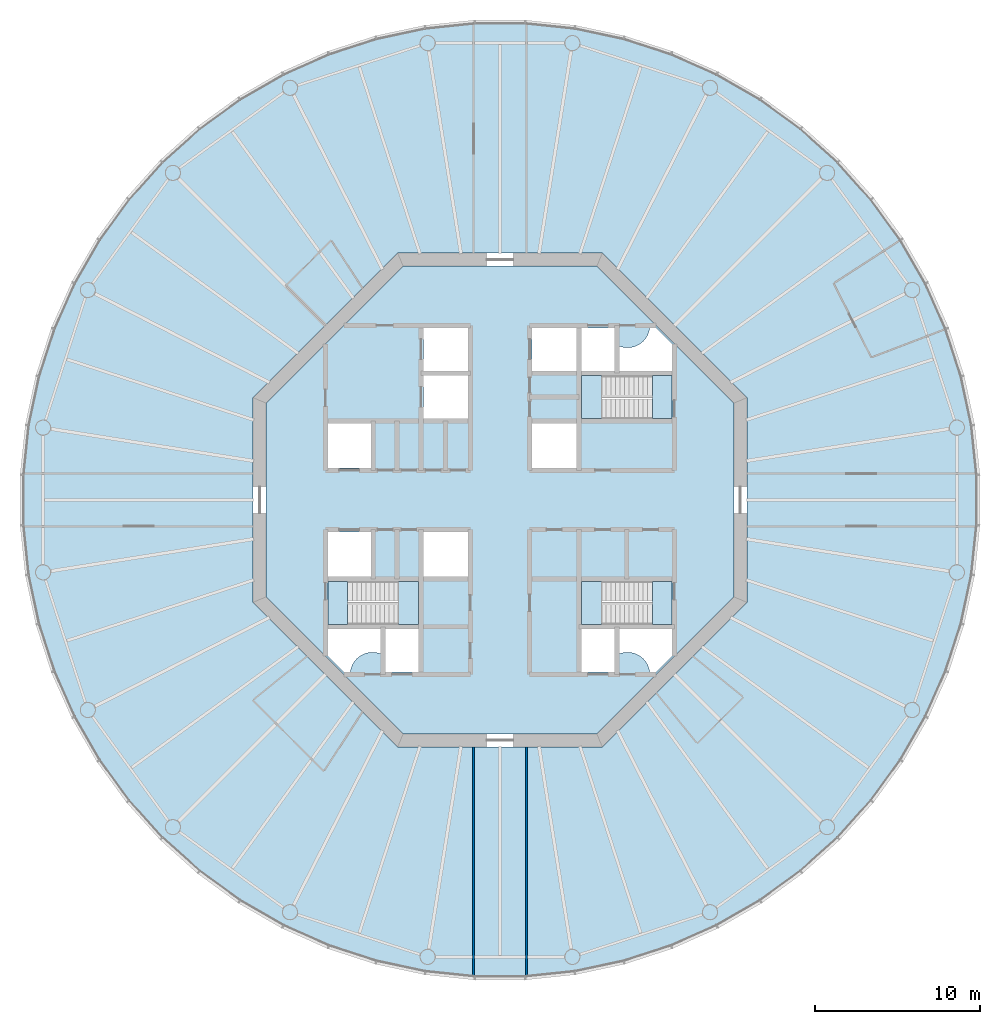
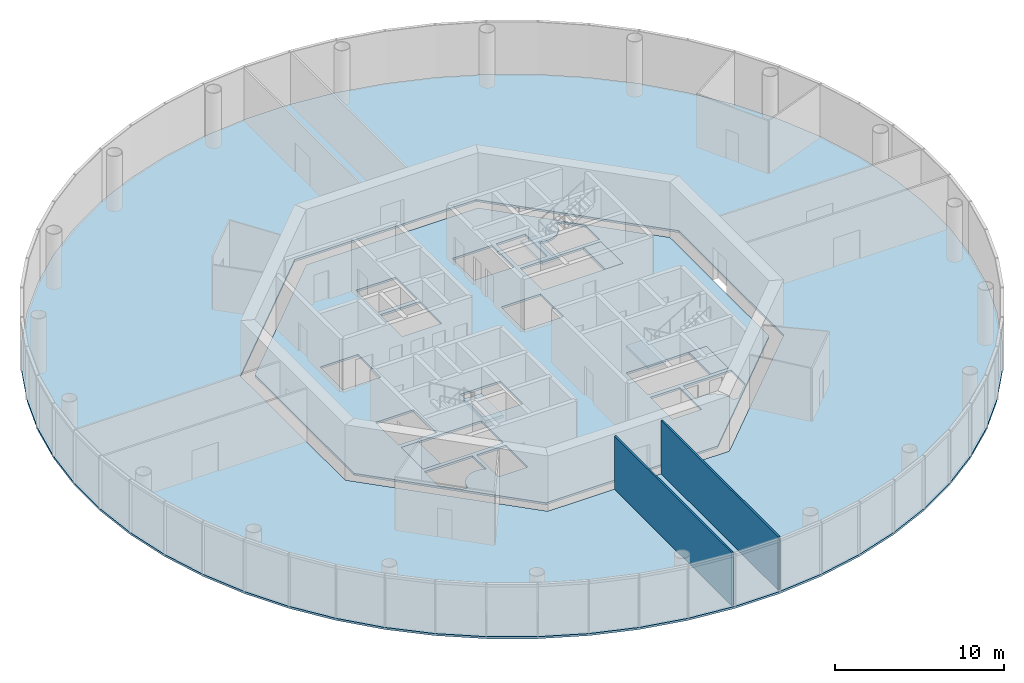
# One storey, part 2 of 12: 8 slabs, 2 walls, 3 elements without a shape of their own.
"""IFC4 building model written with IfcOpenShell, lengths in metres."""

from ifc_helpers import new_model, si_unit, direction, frame, frame_2d, origin, place, context, subcontext, project, spatial, polyline, rectangle, outline, extrude, material, layer, layer_set, type_object, element, aggregate, save


model = new_model("IFC4")

# Units and contexts
model_context = context("Model", 3, precision=1e-05, world=origin(), true_north=direction((0.0, 1.0)))
body_context = subcontext(model_context, "Body", "Model", "MODEL_VIEW")
ifc_project = project(units=[si_unit("LENGTHUNIT", "METRE"), si_unit("AREAUNIT", "SQUARE_METRE"), si_unit("VOLUMEUNIT", "CUBIC_METRE"), si_unit("PLANEANGLEUNIT", "RADIAN"), si_unit("MASSUNIT", "GRAM", prefix="KILO")], contexts=[model_context])

# Site, building, storey
site_placement = place(None, origin())
site = spatial("IfcSite", under=ifc_project, at=site_placement, CompositionType="ELEMENT")
building_placement = place(site_placement, origin())
building = spatial("IfcBuilding", under=site, at=building_placement, Name="Entoto Ring Tower", CompositionType="ELEMENT")
storey_placement = place(building_placement, frame((0.0, 0.0, 322.0)))
storey = spatial("IfcBuildingStorey", under=building, at=storey_placement, Name="L74", CompositionType="ELEMENT", Elevation=322.0)

# Slabs
ifc_material_1 = material(Name="Concrete C30/37", Category="concrete")
ifc_layer_1 = layer(ifc_material_1, 0.14990234375)
ifc_layer_set_1 = layer_set([ifc_layer_1], Name="Concrete C30/37")
slab_type_1 = type_object("IfcSlabType", Name="Composite floor slab 150 mm", PredefinedType="FLOOR", material=ifc_layer_set_1)
slab_1_placement = place(storey_placement, frame((0.0, 0.0, -0.14990234375)))
element("IfcSlab", 1, at=slab_1_placement, inside=storey, type_object=slab_type_1, Name="Floor slab L74", PredefinedType="FLOOR", context=body_context, shape_type="SweptSolid", body=[
    extrude(outline(polyline([(118.74169921875, 84.55224609375), (118.1083984375, 87.53173828125), (117.167236328125, 90.428466796875), (115.92822265625, 93.211181640625), (114.4052734375, 95.848876953125), (112.614990234375, 98.313232421875), (110.576904296875, 100.576904296875), (108.313232421875, 102.614990234375), (105.848876953125, 104.4052734375), (103.211181640625, 105.92822265625), (100.428466796875, 107.167236328125), (97.53173828125, 108.1083984375), (94.55224609375, 108.74169921875), (91.52294921875, 109.06005859375), (88.47705078125, 109.06005859375), (85.44775390625, 108.74169921875), (82.46826171875, 108.1083984375), (79.571533203125, 107.167236328125), (76.788818359375, 105.92822265625), (74.151123046875, 104.4052734375), (71.686767578125, 102.614990234375), (69.423095703125, 100.576904296875), (67.385009765625, 98.313232421875), (65.5947265625, 95.848876953125), (64.07177734375, 93.211181640625), (62.832763671875, 90.428466796875), (61.8916015625, 87.53173828125), (61.25830078125, 84.55224609375), (60.93994140625, 81.52294921875), (60.93994140625, 78.47705078125), (61.25830078125, 75.44775390625), (61.8916015625, 72.46826171875), (62.832763671875, 69.571533203125), (64.07177734375, 66.788818359375), (65.5947265625, 64.151123046875), (67.385009765625, 61.686767578125), (69.423095703125, 59.423095703125), (71.686767578125, 57.385009765625), (74.151123046875, 55.5947265625), (76.788818359375, 54.07177734375), (79.571533203125, 52.832763671875), (82.46826171875, 51.8916015625), (85.44775390625, 51.25830078125), (88.47705078125, 50.93994140625), (91.52294921875, 50.93994140625), (94.55224609375, 51.25830078125), (97.53173828125, 51.8916015625), (100.428466796875, 52.832763671875), (103.211181640625, 54.07177734375), (105.848876953125, 55.5947265625), (108.313232421875, 57.385009765625), (110.576904296875, 59.423095703125), (112.614990234375, 61.686767578125), (114.4052734375, 64.151123046875), (115.92822265625, 66.788818359375), (117.167236328125, 69.571533203125), (118.1083984375, 72.46826171875), (118.74169921875, 75.44775390625), (119.06005859375, 78.47705078125), (119.06005859375, 81.52294921875), (118.74169921875, 84.55224609375)]), holes=[polyline([(105.0, 73.786865234375), (105.0, 86.213134765625), (96.213134765625, 95.0), (83.786865234375, 95.0), (75.0, 86.213134765625), (75.0, 73.786865234375), (83.786865234375, 65.0), (96.213134765625, 65.0), (105.0, 73.786865234375)])]), origin(), (0.0, 0.0, 1.0), 0.14990234375),
])
ifc_material_2 = material(Name="Concrete C40/50", Category="concrete")
ifc_layer_2 = layer(ifc_material_2, 0.14990234375)
ifc_layer_set_2 = layer_set([ifc_layer_2], Name="Concrete C40/50")
slab_type_2 = type_object("IfcSlabType", Name="Core floor slab 150 mm reinforced concrete C40/50", PredefinedType="FLOOR", material=ifc_layer_set_2)
slab_2_placement = place(storey_placement, frame((0.0, 0.0, -0.14990234375)))
element("IfcSlab", 2, at=slab_2_placement, inside=storey, type_object=slab_type_2, Name="Core floor L74", PredefinedType="FLOOR", context=body_context, shape_type="SweptSolid", body=[
    extrude(outline(polyline([(104.199951171875, 74.1181640625), (104.199951171875, 85.8818359375), (95.8818359375, 94.199951171875), (84.1181640625, 94.199951171875), (75.800048828125, 85.8818359375), (75.800048828125, 74.1181640625), (84.1181640625, 65.800048828125), (95.8818359375, 65.800048828125), (104.199951171875, 74.1181640625)]), holes=[polyline([(100.449951171875, 84.949951171875), (100.449951171875, 87.550048828125), (94.949951171875, 87.550048828125), (94.949951171875, 84.949951171875), (100.449951171875, 84.949951171875)]), polyline([(85.050048828125, 72.449951171875), (85.050048828125, 75.050048828125), (79.550048828125, 75.050048828125), (79.550048828125, 72.449951171875), (85.050048828125, 72.449951171875)]), polyline([(100.449951171875, 72.449951171875), (100.449951171875, 75.050048828125), (94.949951171875, 75.050048828125), (94.949951171875, 72.449951171875), (100.449951171875, 72.449951171875)]), polyline([(94.949951171875, 90.449951171875), (94.949951171875, 87.85009765625), (96.949951171875, 87.85009765625), (96.949951171875, 90.449951171875), (94.949951171875, 90.449951171875)]), polyline([(94.949951171875, 72.14990234375), (94.949951171875, 69.550048828125), (96.949951171875, 69.550048828125), (96.949951171875, 72.14990234375), (94.949951171875, 72.14990234375)]), polyline([(83.050048828125, 72.14990234375), (83.050048828125, 69.550048828125), (85.050048828125, 69.550048828125), (85.050048828125, 72.14990234375), (83.050048828125, 72.14990234375)]), polyline([(79.550048828125, 81.949951171875), (82.14990234375, 81.949951171875), (82.14990234375, 84.64990234375), (79.550048828125, 84.64990234375), (79.550048828125, 81.949951171875)]), polyline([(79.550048828125, 75.35009765625), (82.14990234375, 75.35009765625), (82.14990234375, 78.050048828125), (79.550048828125, 78.050048828125), (79.550048828125, 75.35009765625)]), polyline([(91.949951171875, 87.85009765625), (94.64990234375, 87.85009765625), (94.64990234375, 90.449951171875), (91.949951171875, 90.449951171875), (91.949951171875, 87.85009765625)]), polyline([(91.949951171875, 81.949951171875), (94.64990234375, 81.949951171875), (94.64990234375, 84.64990234375), (91.949951171875, 84.64990234375), (91.949951171875, 81.949951171875)]), polyline([(85.35009765625, 75.35009765625), (88.050048828125, 75.35009765625), (88.050048828125, 78.050048828125), (85.35009765625, 78.050048828125), (85.35009765625, 75.35009765625)]), polyline([(85.35009765625, 84.949951171875), (88.050048828125, 84.949951171875), (88.050048828125, 87.550048828125), (85.35009765625, 87.550048828125), (85.35009765625, 84.949951171875)]), polyline([(85.35009765625, 87.85009765625), (88.050048828125, 87.85009765625), (88.050048828125, 90.449951171875), (85.35009765625, 90.449951171875), (85.35009765625, 87.85009765625)]), polyline([(97.199951171875, 89.368408203125), (97.199951171875, 87.800048828125), (100.5, 87.800048828125), (100.5, 89.4404296875), (99.4404296875, 90.5), (99.09521484375, 90.5), (99.093505859375, 90.4677734375), (99.07421875, 90.336669921875), (99.0419921875, 90.2080078125), (98.997314453125, 90.08349609375), (98.940673828125, 89.963623046875), (98.87255859375, 89.85009765625), (98.793701171875, 89.74365234375), (98.70458984375, 89.6455078125), (98.6064453125, 89.556396484375), (98.5, 89.4775390625), (98.386474609375, 89.409423828125), (98.2666015625, 89.352783203125), (98.141845703125, 89.30810546875), (98.013427734375, 89.27587890625), (97.88232421875, 89.256591796875), (97.75, 89.25), (97.61767578125, 89.256591796875), (97.486572265625, 89.27587890625), (97.358154296875, 89.30810546875), (97.2333984375, 89.352783203125), (97.199951171875, 89.368408203125)]), polyline([(80.5595703125, 69.5), (80.90478515625, 69.5), (80.906494140625, 69.5322265625), (80.92578125, 69.663330078125), (80.9580078125, 69.7919921875), (81.002685546875, 69.91650390625), (81.059326171875, 70.036376953125), (81.12744140625, 70.14990234375), (81.206298828125, 70.25634765625), (81.29541015625, 70.3544921875), (81.3935546875, 70.443603515625), (81.5, 70.5224609375), (81.613525390625, 70.590576171875), (81.7333984375, 70.647216796875), (81.858154296875, 70.69189453125), (81.986572265625, 70.72412109375), (82.11767578125, 70.743408203125), (82.25, 70.75), (82.38232421875, 70.743408203125), (82.513427734375, 70.72412109375), (82.641845703125, 70.69189453125), (82.7666015625, 70.647216796875), (82.800048828125, 70.631591796875), (82.800048828125, 72.199951171875), (79.5, 72.199951171875), (79.5, 70.5595703125), (80.5595703125, 69.5)]), polyline([(99.09521484375, 69.5), (99.4404296875, 69.5), (100.5, 70.5595703125), (100.5, 72.199951171875), (97.199951171875, 72.199951171875), (97.199951171875, 70.631591796875), (97.2333984375, 70.647216796875), (97.358154296875, 70.69189453125), (97.486572265625, 70.72412109375), (97.61767578125, 70.743408203125), (97.75, 70.75), (97.88232421875, 70.743408203125), (98.013427734375, 70.72412109375), (98.141845703125, 70.69189453125), (98.2666015625, 70.647216796875), (98.386474609375, 70.590576171875), (98.5, 70.5224609375), (98.6064453125, 70.443603515625), (98.70458984375, 70.3544921875), (98.793701171875, 70.25634765625), (98.87255859375, 70.14990234375), (98.940673828125, 70.036376953125), (98.997314453125, 69.91650390625), (99.0419921875, 69.7919921875), (99.07421875, 69.663330078125), (99.093505859375, 69.5322265625), (99.09521484375, 69.5)])]), origin(), (0.0, 0.0, 1.0), 0.14990234375),
])

# Stair, slabs
ifc_material_3 = material(Name="Concrete C40/50", Category="concrete")
stair_type = type_object("IfcStairType", Name="Exit stair 1200 mm dog-leg reinforced concrete", PredefinedType="HALF_TURN_STAIR", material=ifc_material_3)
stair_1_placement = place(storey_placement, origin())
stair_1 = element("IfcStair", 3, at=stair_1_placement, inside=storey, type_object=stair_type, Name="Exit stair 1", PredefinedType="HALF_TURN_STAIR")
ifc_material_4 = material(Name="Concrete C40/50", Category="concrete")
ifc_layer_3 = layer(ifc_material_4, 0.199951171875)
ifc_layer_set_3 = layer_set([ifc_layer_3], Name="Concrete C40/50")
slab_type_3 = type_object("IfcSlabType", Name="Stair landing 200 mm reinforced concrete", PredefinedType="LANDING", material=ifc_layer_set_3)
slab_3_placement = place(storey_placement, frame((0.0, 0.0, -0.199951171875)))
slab_3 = element("IfcSlab", 4, at=slab_3_placement, type_object=slab_type_3, Name="ST1 landing 1", PredefinedType="LANDING", context=body_context, shape_type="SweptSolid", body=[
    extrude(outline(polyline([(100.449951171875, 84.949951171875), (100.449951171875, 87.550048828125), (99.25, 87.550048828125), (99.25, 84.949951171875), (100.449951171875, 84.949951171875)])), origin(), (0.0, 0.0, 1.0), 0.199951171875),
])
slab_4_placement = place(storey_placement, frame((0.0, 0.0, 1.800048828125)))
slab_4 = element("IfcSlab", 5, at=slab_4_placement, type_object=slab_type_3, Name="ST1 landing 2", PredefinedType="LANDING", context=body_context, shape_type="SweptSolid", body=[
    extrude(outline(polyline([(94.949951171875, 84.949951171875), (96.169921875, 84.949951171875), (96.169921875, 87.550048828125), (94.949951171875, 87.550048828125), (94.949951171875, 84.949951171875)])), origin(), (0.0, 0.0, 1.0), 0.199951171875),
])
aggregate(stair_1, [slab_3, slab_4])

stair_2_placement = place(storey_placement, origin())
stair_2 = element("IfcStair", 6, at=stair_2_placement, inside=storey, type_object=stair_type, Name="Exit stair 2", PredefinedType="HALF_TURN_STAIR")
slab_5_placement = place(storey_placement, frame((0.0, 0.0, -0.199951171875)))
slab_5 = element("IfcSlab", 7, at=slab_5_placement, type_object=slab_type_3, Name="ST2 landing 1", PredefinedType="LANDING", context=body_context, shape_type="SweptSolid", body=[
    extrude(outline(polyline([(80.75, 72.449951171875), (80.75, 75.050048828125), (79.550048828125, 75.050048828125), (79.550048828125, 72.449951171875), (80.75, 72.449951171875)])), origin(), (0.0, 0.0, 1.0), 0.199951171875),
])
slab_6_placement = place(storey_placement, frame((0.0, 0.0, 1.800048828125)))
slab_6 = element("IfcSlab", 8, at=slab_6_placement, type_object=slab_type_3, Name="ST2 landing 2", PredefinedType="LANDING", context=body_context, shape_type="SweptSolid", body=[
    extrude(outline(polyline([(83.830078125, 72.449951171875), (85.050048828125, 72.449951171875), (85.050048828125, 75.050048828125), (83.830078125, 75.050048828125), (83.830078125, 72.449951171875)])), origin(), (0.0, 0.0, 1.0), 0.199951171875),
])
aggregate(stair_2, [slab_5, slab_6])

stair_3_placement = place(storey_placement, origin())
stair_3 = element("IfcStair", 9, at=stair_3_placement, inside=storey, type_object=stair_type, Name="Exit stair 3", PredefinedType="HALF_TURN_STAIR")
slab_7_placement = place(storey_placement, frame((0.0, 0.0, -0.199951171875)))
slab_7 = element("IfcSlab", 10, at=slab_7_placement, type_object=slab_type_3, Name="ST3 landing 1", PredefinedType="LANDING", context=body_context, shape_type="SweptSolid", body=[
    extrude(outline(polyline([(100.449951171875, 72.449951171875), (100.449951171875, 75.050048828125), (99.25, 75.050048828125), (99.25, 72.449951171875), (100.449951171875, 72.449951171875)])), origin(), (0.0, 0.0, 1.0), 0.199951171875),
])
slab_8_placement = place(storey_placement, frame((0.0, 0.0, 1.800048828125)))
slab_8 = element("IfcSlab", 11, at=slab_8_placement, type_object=slab_type_3, Name="ST3 landing 2", PredefinedType="LANDING", context=body_context, shape_type="SweptSolid", body=[
    extrude(outline(polyline([(94.949951171875, 72.449951171875), (96.169921875, 72.449951171875), (96.169921875, 75.050048828125), (94.949951171875, 75.050048828125), (94.949951171875, 72.449951171875)])), origin(), (0.0, 0.0, 1.0), 0.199951171875),
])
aggregate(stair_3, [slab_7, slab_8])

# Walls
ifc_material_5 = material(Name="Fire-resisting plasterboard on steel studs", Category="steel")
ifc_layer_4 = layer(ifc_material_5, 0.125)
ifc_layer_set_4 = layer_set([ifc_layer_4], Name="Fire-resisting plasterboard on steel studs")
wall_type = type_object("IfcWallType", Name="Corridor wall 125 mm one-hour plasterboard on steel studs", PredefinedType="PARTITIONING", material=ifc_layer_set_4)
for number, where, z_axis, x_axis, name in (
    (12, (88.39990234375, 51.108642578125, 0.0), (0.0, 0.0, 1.0), (0.0, 1.0, 0.0), "partition-L74-003"),
    (13, (91.60009765625, 51.108642578125, 0.0), (0.0, 0.0, 1.0), (0.0, 1.0, 0.0), "partition-L74-005"),
):
    element("IfcWall", number, at=place(storey_placement, frame(where, z_axis=z_axis, x_axis=x_axis)), inside=storey, type_object=wall_type, Name=name, PredefinedType="PARTITIONING", context=body_context, shape_type="SweptSolid", body=[
        extrude(rectangle(XDim=13.891357421875, YDim=0.125, at=frame_2d((6.94580078125, 0.0))), origin(), (0.0, 0.0, 1.0), 3.85009765625),
    ])

save(model, "model.ifc")
